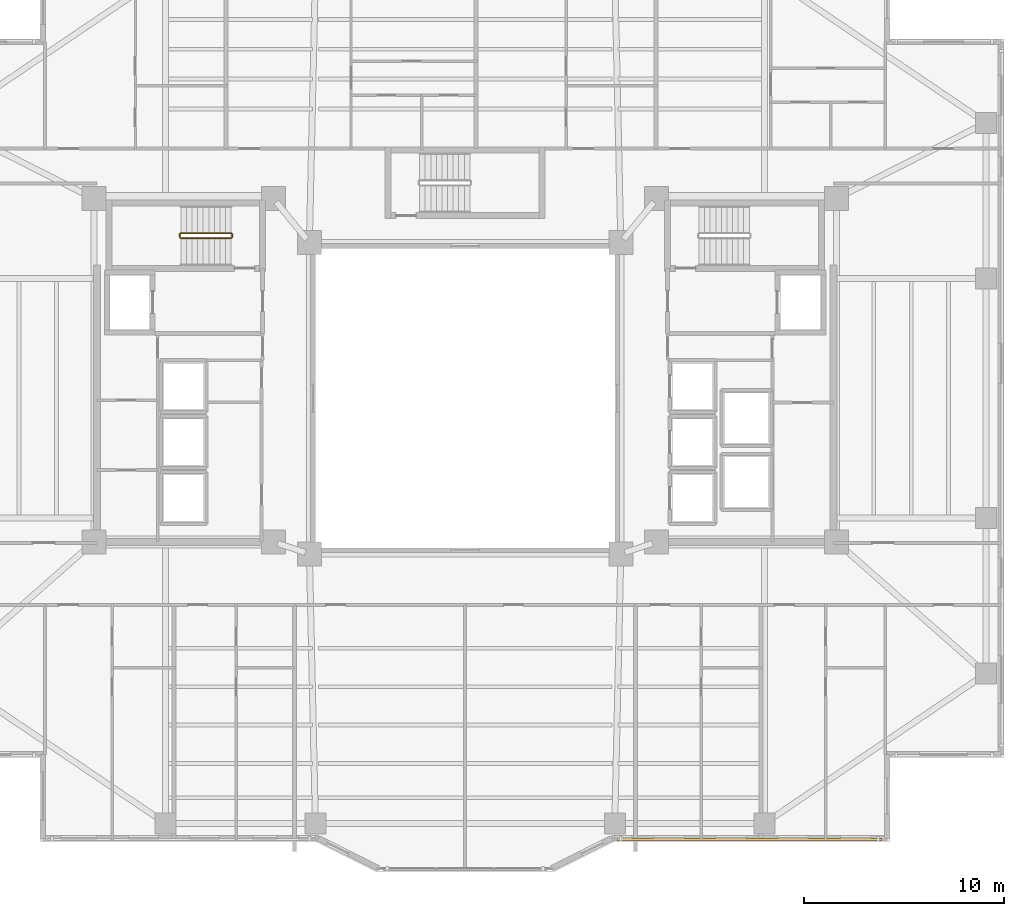
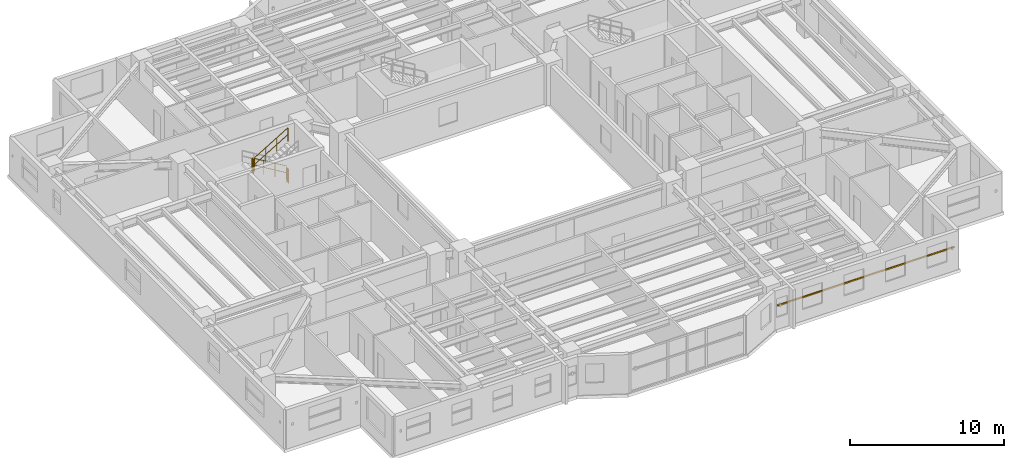
# One storey, part 15 of 18: 4 railings, 1 shading device.
"""IFC4 building model written with IfcOpenShell, lengths in metres."""

import ifcopenshell
import ifcopenshell.guid

model = None  # the IFC model being written
_history = None  # IfcOwnerHistory: only IFC2X3 demands one
_inside = {}  # id of a spatial element -> (the spatial element, [elements in it])
_under = {}  # id of a project, library or spatial element -> (it, [spatial elements below it])
_declared = {}  # id of a project -> (the project, [libraries it declares])
_typed = {}  # id of a type object -> (the type object, [elements of that type])
_made_of = {}  # id of a material, layer set ... -> (it, [elements and type objects made of it])


def new_model(schema):
    """Start an empty IFC model of exactly this schema.

    Asked for "IFC4X3", IfcOpenShell would pick the latest addendum, in which some entities
    have other attributes; the version numbers below select the first issue.
    IFC2X3 requires an IfcOwnerHistory on every rooted entity: one is made here for all.
    """
    global model, _history
    if schema == "IFC4X3":
        model = ifcopenshell.file(schema_version=(4, 3, 0, 0))
    else:
        model = ifcopenshell.file(schema=schema)
    _inside.clear()
    _under.clear()
    _declared.clear()
    _typed.clear()
    _made_of.clear()
    _history = None
    if model.schema == "IFC2X3":
        org = make("IfcOrganization", Name="unknown")
        user = make(
            "IfcPersonAndOrganization",
            ThePerson=make("IfcPerson", FamilyName="unknown"),
            TheOrganization=org,
        )
        app = make(
            "IfcApplication",
            ApplicationDeveloper=org,
            Version="unknown",
            ApplicationFullName="unknown",
            ApplicationIdentifier="unknown",
        )
        _history = make(
            "IfcOwnerHistory",
            OwningUser=user,
            OwningApplication=app,
            ChangeAction="ADDED",
            CreationDate=0,
        )
    return model


def make(cls, **values):
    """One entity of the class cls with the attributes given. An attribute that is None is left unset."""
    return model.create_entity(
        cls, **{name: value for name, value in values.items() if value is not None}
    )


def rooted(cls, **values):
    """An entity with a GlobalId (a new one), such as an element, a storey or a relation."""
    return make(cls, GlobalId=ifcopenshell.guid.new(), OwnerHistory=_history, **values)


def si_unit(unit_type, name, prefix=None):
    """IfcSIUnit, for example si_unit("LENGTHUNIT", "METRE", prefix="MILLI")."""
    return make("IfcSIUnit", UnitType=unit_type, Prefix=prefix, Name=name)


def assignment(units):
    """IfcUnitAssignment: the units of a project."""
    return None if units is None else make("IfcUnitAssignment", Units=units)


def point(xyz):
    """IfcCartesianPoint."""
    return None if xyz is None else make("IfcCartesianPoint", Coordinates=xyz)


def direction(xyz):
    """IfcDirection."""
    return None if xyz is None else make("IfcDirection", DirectionRatios=xyz)


def frame(location, z_axis=None, x_axis=None):
    """IfcAxis2Placement3D, a coordinate frame: its origin and axes. An axis left out is left unset."""
    return make(
        "IfcAxis2Placement3D",
        Location=point(location),
        Axis=direction(z_axis),
        RefDirection=direction(x_axis),
    )


def frame_2d(location, x_axis=None):
    """IfcAxis2Placement2D, a coordinate frame in the plane: its origin and x axis."""
    return make(
        "IfcAxis2Placement2D", Location=point(location), RefDirection=direction(x_axis)
    )


def origin():
    """The frame at (0, 0, 0) with its axes left unset."""
    return frame((0.0, 0.0, 0.0))


def origin_2d():
    """The frame at (0, 0) in the plane with its x axis left unset."""
    return frame_2d((0.0, 0.0))


def place(relative_to, where):
    """IfcLocalPlacement: puts the frame where relative to a parent placement (None: the world)."""
    return make(
        "IfcLocalPlacement", PlacementRelTo=relative_to, RelativePlacement=where
    )


def context(
    kind, dimensions, precision=None, world=None, true_north=None, identifier=None
):
    """IfcGeometricRepresentationContext, for example the 3D "Model" context."""
    return make(
        "IfcGeometricRepresentationContext",
        ContextIdentifier=identifier,
        ContextType=kind,
        CoordinateSpaceDimension=dimensions,
        Precision=precision,
        WorldCoordinateSystem=world,
        TrueNorth=true_north,
    )


def subcontext(parent, identifier, kind, view, scale=None):
    """IfcGeometricRepresentationSubContext, for example "Body" below "Model"."""
    return make(
        "IfcGeometricRepresentationSubContext",
        ContextIdentifier=identifier,
        ContextType=kind,
        ParentContext=parent,
        TargetScale=scale,
        TargetView=view,
    )


def project(units=None, contexts=None):
    """IfcProject with its units and contexts."""
    return rooted(
        "IfcProject",
        Name="project",
        RepresentationContexts=contexts,
        UnitsInContext=assignment(units),
    )


def spatial(cls, under=None, at=None, **own):
    """A site, building, storey or space (cls), placed at a placement, below another one or the project."""
    s = rooted(cls, ObjectPlacement=at, **own)
    if under is not None:
        _under.setdefault(under.id(), (under, []))[1].append(s)
    return s


def profile(cls, at=None, kind="AREA", **sizes):
    """A parametric profile (cls). Its sizes go by their IFC names, for example OverallWidth=200.0."""
    return make(cls, ProfileType=kind, Position=at, **sizes)


def rectangle(**sizes):
    """IfcRectangleProfileDef."""
    return profile("IfcRectangleProfileDef", **sizes)


def circle(**sizes):
    """IfcCircleProfileDef."""
    return profile("IfcCircleProfileDef", **sizes)


def extrude(swept, where, along, depth):
    """IfcExtrudedAreaSolid: the profile swept, set in the frame where, extruded along a direction by depth."""
    return make(
        "IfcExtrudedAreaSolid",
        SweptArea=swept,
        Position=where,
        ExtrudedDirection=direction(along),
        Depth=depth,
    )


def shape(context_of_items, identifier, shape_type, items):
    """IfcShapeRepresentation: the items that make up one representation, for example the "Body"."""
    return make(
        "IfcShapeRepresentation",
        ContextOfItems=context_of_items,
        RepresentationIdentifier=identifier,
        RepresentationType=shape_type,
        Items=items,
    )


def material(Name=None, Category=None):
    """IfcMaterial."""
    return make("IfcMaterial", Name=Name, Category=Category)


def material_profile(
    of_material, cross_section, Name=None, Category=None, Priority=None
):
    """IfcMaterialProfile: a cross section and its material."""
    return make(
        "IfcMaterialProfile",
        Name=Name,
        Material=of_material,
        Profile=cross_section,
        Priority=Priority,
        Category=Category,
    )


def profile_set(profiles, Name=None, composite=None):
    """IfcMaterialProfileSet."""
    return make(
        "IfcMaterialProfileSet",
        Name=Name,
        MaterialProfiles=profiles,
        CompositeProfile=composite,
    )


def made_of(thing, what):
    """Note that an element or type object is made of a material, layer set ...; save() writes the relation."""
    if what is not None:
        _made_of.setdefault(what.id(), (what, []))[1].append(thing)
    return thing


def type_object(cls, material=None, **own):
    """A type object (cls), such as IfcWallType, which elements share."""
    return made_of(rooted(cls, **own), material)


def element(
    cls,
    number,
    at=None,
    inside=None,
    cuts=None,
    type_object=None,
    material=None,
    context=None,
    identifier="Body",
    shape_type=None,
    held_by="IfcProductDefinitionShape",
    body=None,
    shapes=None,
    **own,
):
    """One element of the class cls, such as IfcWall. Its Tag is "e" and its number.

    at: its placement. inside: the storey or other place that contains it. cuts: it is an
    opening in that element (IfcRelVoidsElement). A single representation is given by context,
    identifier, shape_type and body (its items); several are given by shapes. held_by: the class
    of the entity that holds the representations. save() writes the other relations.
    """
    e = rooted(cls, Tag="e%d" % number, ObjectPlacement=at, **own)
    if body is not None:
        shapes = [shape(context, identifier, shape_type, body)]
    if shapes is not None:
        e.Representation = make(held_by, Representations=shapes)
    if inside is not None:
        _inside.setdefault(inside.id(), (inside, []))[1].append(e)
    if cuts is not None:
        rooted(
            "IfcRelVoidsElement", RelatingBuildingElement=cuts, RelatedOpeningElement=e
        )
    if type_object is not None:
        _typed.setdefault(type_object.id(), (type_object, []))[1].append(e)
    return made_of(e, material)


def aggregate(whole, parts):
    """IfcRelAggregates: a whole, such as a stair, and the parts it consists of."""
    return rooted("IfcRelAggregates", RelatingObject=whole, RelatedObjects=parts)


def save(model, path):
    """Write the relations noted so far, then the file.

    IfcRelAggregates (storeys below a building ...), IfcRelContainedInSpatialStructure (elements
    in a storey), IfcRelDefinesByType, IfcRelAssociatesMaterial and IfcRelDeclares: one each for
    every whole, place, type object, material and project.
    """
    for whole, parts in _under.values():
        aggregate(whole, parts)
    for where, things in _inside.values():
        rooted(
            "IfcRelContainedInSpatialStructure",
            RelatedElements=things,
            RelatingStructure=where,
        )
    for kind, things in _typed.values():
        rooted("IfcRelDefinesByType", RelatedObjects=things, RelatingType=kind)
    for what, things in _made_of.values():
        rooted("IfcRelAssociatesMaterial", RelatedObjects=things, RelatingMaterial=what)
    for by, libraries in _declared.values():
        rooted("IfcRelDeclares", RelatingContext=by, RelatedDefinitions=libraries)
    model.write(path)


model = new_model("IFC4")

# Units and contexts
model_context = context("Model", 3, precision=1e-05, world=origin(), true_north=direction((0.0, 1.0)))
body_context = subcontext(model_context, "Body", "Model", "MODEL_VIEW")
ifc_project = project(units=[si_unit("LENGTHUNIT", "METRE"), si_unit("AREAUNIT", "SQUARE_METRE"), si_unit("VOLUMEUNIT", "CUBIC_METRE"), si_unit("PLANEANGLEUNIT", "RADIAN"), si_unit("MASSUNIT", "GRAM", prefix="KILO")], contexts=[model_context])

# Site, building, storey
site_placement = place(None, origin())
site = spatial("IfcSite", under=ifc_project, at=site_placement, CompositionType="ELEMENT")
building_placement = place(site_placement, origin())
building = spatial("IfcBuilding", under=site, at=building_placement, Name="Tarnavaz Court Tower", CompositionType="ELEMENT")
storey_placement = place(building_placement, frame((0.0, 0.0, 101.75)))
storey = spatial("IfcBuildingStorey", under=building, at=storey_placement, Name="L27", CompositionType="ELEMENT", Elevation=101.75)

# Railings
ifc_material_1 = material(Name="Galvanized Painted Tubular Steel", Category="steel")
railing_type = type_object("IfcRailingType", Name="RL-STGUARD-1120", PredefinedType="GUARDRAIL", material=ifc_material_1)
railing_1_placement = place(storey_placement, frame((-11.719970703125, 8.27001953125, 0.16748046875)))
element("IfcRailing", 1, at=railing_1_placement, inside=storey, type_object=railing_type, Name="L27 ST-W1 stair guard 1", PredefinedType="GUARDRAIL", context=body_context, shape_type="SweptSolid", body=[
    extrude(circle(Radius=0.02392578125, at=origin_2d()), frame((0.0, 0.0, 1.09619140625), z_axis=(-0.858159760407, 0.0, 0.513382728203), x_axis=(0.0, -1.0, 0.0)), (0.0, 0.0, 1.0), 2.9365234375),
    extrude(circle(Radius=0.02392578125, at=origin_2d()), frame((0.0, 0.0, 0.56005859375), z_axis=(-0.858159760407, 0.0, 0.513382728203), x_axis=(0.0, -1.0, 0.0)), (0.0, 0.0, 1.0), 2.9365234375),
    extrude(circle(Radius=0.02099609375, at=origin_2d()), origin(), (0.0, 0.0, 1.0), 1.072021484375),
    extrude(circle(Radius=0.02099609375, at=origin_2d()), frame((-0.840087890625, 0.0, 0.50244140625)), (0.0, 0.0, 1.0), 1.072021484375),
    extrude(circle(Radius=0.02099609375, at=origin_2d()), frame((-1.679931640625, 0.0, 1.005126953125)), (0.0, 0.0, 1.0), 1.072021484375),
    extrude(circle(Radius=0.02099609375, at=origin_2d()), frame((-2.52001953125, 0.0, 1.507568359375)), (0.0, 0.0, 1.0), 1.072021484375),
])
railing_2_placement = place(storey_placement, frame((-14.2900390625, 8.219970703125, 1.675048828125)))
element("IfcRailing", 2, at=railing_2_placement, inside=storey, type_object=railing_type, Name="L27 ST-W1 stair guard 2", PredefinedType="GUARDRAIL", context=body_context, shape_type="SweptSolid", body=[
    extrude(circle(Radius=0.02392578125, at=origin_2d()), frame((0.0, 0.0, 1.09619140625), z_axis=(0.0, -1.0, 0.0), x_axis=(1.0, 0.0, 0.0)), (0.0, 0.0, 1.0), 0.14990234375),
    extrude(circle(Radius=0.02392578125, at=origin_2d()), frame((0.0, 0.0, 0.56005859375), z_axis=(0.0, -1.0, 0.0), x_axis=(1.0, 0.0, 0.0)), (0.0, 0.0, 1.0), 0.14990234375),
    extrude(circle(Radius=0.02099609375, at=origin_2d()), origin(), (0.0, 0.0, 1.0), 1.072021484375),
    extrude(circle(Radius=0.02099609375, at=origin_2d()), frame((0.0, -0.14990234375, 0.0)), (0.0, 0.0, 1.0), 1.072021484375),
])
railing_3_placement = place(storey_placement, frame((-14.239990234375, 8.02001953125, 1.842529296875)))
element("IfcRailing", 3, at=railing_3_placement, inside=storey, type_object=railing_type, Name="L27 ST-W1 stair guard 3", PredefinedType="GUARDRAIL", context=body_context, shape_type="SweptSolid", body=[
    extrude(circle(Radius=0.02392578125, at=origin_2d()), frame((0.0, 0.0, 1.09619140625), z_axis=(0.858159760407, 0.0, 0.513382728203), x_axis=(0.0, 1.0, 0.0)), (0.0, 0.0, 1.0), 2.9365234375),
    extrude(circle(Radius=0.02392578125, at=origin_2d()), frame((0.0, 0.0, 0.56005859375), z_axis=(0.858159760407, 0.0, 0.513382728203), x_axis=(0.0, 1.0, 0.0)), (0.0, 0.0, 1.0), 2.9365234375),
    extrude(circle(Radius=0.02099609375, at=origin_2d()), origin(), (0.0, 0.0, 1.0), 1.072021484375),
    extrude(circle(Radius=0.02099609375, at=origin_2d()), frame((0.840087890625, 0.0, 0.50244140625)), (0.0, 0.0, 1.0), 1.072021484375),
    extrude(circle(Radius=0.02099609375, at=origin_2d()), frame((1.679931640625, 0.0, 1.005126953125)), (0.0, 0.0, 1.0), 1.072021484375),
    extrude(circle(Radius=0.02099609375, at=origin_2d()), frame((2.52001953125, 0.0, 1.507568359375)), (0.0, 0.0, 1.0), 1.072021484375),
])
railing_4_placement = place(storey_placement, frame((-11.669921875, 8.219970703125, 0.0)))
element("IfcRailing", 4, at=railing_4_placement, inside=storey, type_object=railing_type, Name="L27 ST-W1 stair guard 4", PredefinedType="GUARDRAIL", context=body_context, shape_type="SweptSolid", body=[
    extrude(circle(Radius=0.02392578125, at=origin_2d()), frame((0.0, 0.0, 1.09619140625), z_axis=(0.0, -1.0, 0.0), x_axis=(1.0, 0.0, 0.0)), (0.0, 0.0, 1.0), 0.14990234375),
    extrude(circle(Radius=0.02392578125, at=origin_2d()), frame((0.0, 0.0, 0.56005859375), z_axis=(0.0, -1.0, 0.0), x_axis=(1.0, 0.0, 0.0)), (0.0, 0.0, 1.0), 0.14990234375),
    extrude(circle(Radius=0.02099609375, at=origin_2d()), origin(), (0.0, 0.0, 1.0), 1.072021484375),
    extrude(circle(Radius=0.02099609375, at=origin_2d()), frame((0.0, -0.14990234375, 0.0)), (0.0, 0.0, 1.0), 1.072021484375),
])

# Shading device
ifc_material_2 = material(Name="Kiln-Fired Khorasan Terracotta Ceramic", Category="masonry")
ifc_material_profile = material_profile(ifc_material_2, rectangle(XDim=0.1201171875, YDim=0.06005859375, at=origin_2d()), Name="TC BAGUETTE 120X60")
ifc_profile_set = profile_set([ifc_material_profile], Name="Kiln-Fired Khorasan Terracotta Ceramic")
shading_device_type = type_object("IfcShadingDeviceType", Name="SD-BAG-120", PredefinedType="USERDEFINED", material=ifc_profile_set)
shading_device_placement = place(storey_placement, frame((20.89990234375, -22.110107421875, 1.85009765625), z_axis=(-1.0, 0.0, 0.0), x_axis=(0.0, -1.0, 0.0)))
element("IfcShadingDevice", 5, at=shading_device_placement, inside=storey, type_object=shading_device_type, Name="L27 Terracotta Baguette Screen FBG15", ObjectType="BAGUETTE", PredefinedType="USERDEFINED", context=body_context, shape_type="SweptSolid", body=[
    extrude(rectangle(XDim=0.1201171875, YDim=0.06005859375, at=origin_2d()), origin(), (0.0, 0.0, 1.0), 13.2998046875),
])

save(model, "model.ifc")
